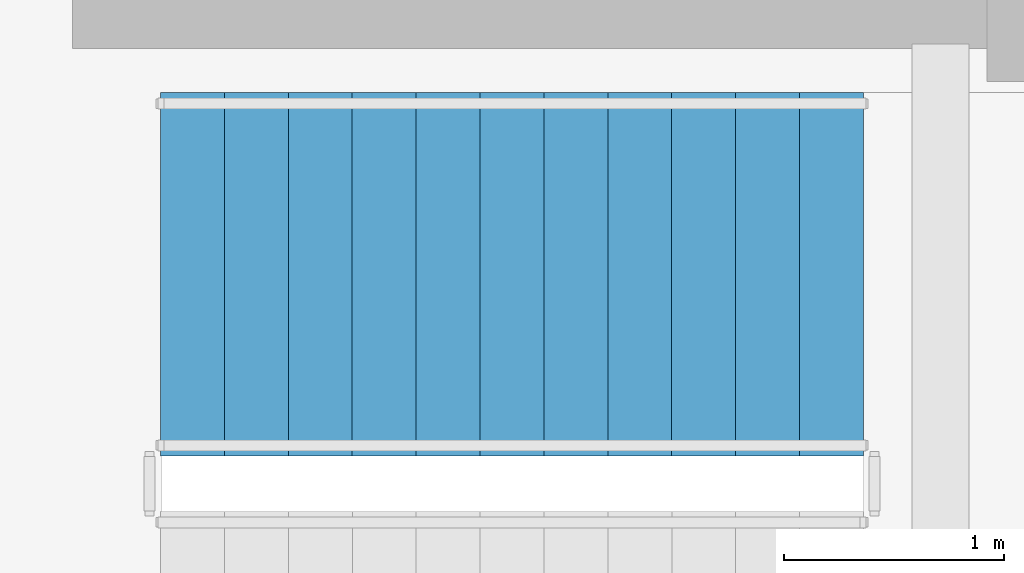
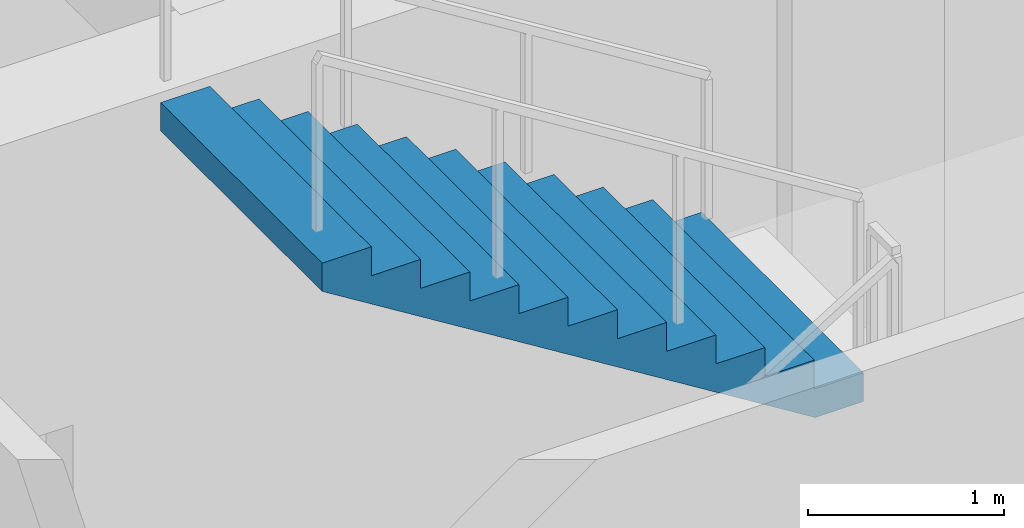
# One storey, part 10 of 13: 1 stair flight, 1 element without a shape of its own.
"""IFC4 building model written with IfcOpenShell, lengths in metres."""

import ifcopenshell
import ifcopenshell.guid

model = None  # the IFC model being written
_history = None  # IfcOwnerHistory: only IFC2X3 demands one
_inside = {}  # id of a spatial element -> (the spatial element, [elements in it])
_under = {}  # id of a project, library or spatial element -> (it, [spatial elements below it])
_declared = {}  # id of a project -> (the project, [libraries it declares])
_typed = {}  # id of a type object -> (the type object, [elements of that type])
_made_of = {}  # id of a material, layer set ... -> (it, [elements and type objects made of it])


def new_model(schema):
    """Start an empty IFC model of exactly this schema.

    Asked for "IFC4X3", IfcOpenShell would pick the latest addendum, in which some entities
    have other attributes; the version numbers below select the first issue.
    IFC2X3 requires an IfcOwnerHistory on every rooted entity: one is made here for all.
    """
    global model, _history
    if schema == "IFC4X3":
        model = ifcopenshell.file(schema_version=(4, 3, 0, 0))
    else:
        model = ifcopenshell.file(schema=schema)
    _inside.clear()
    _under.clear()
    _declared.clear()
    _typed.clear()
    _made_of.clear()
    _history = None
    if model.schema == "IFC2X3":
        org = make("IfcOrganization", Name="unknown")
        user = make(
            "IfcPersonAndOrganization",
            ThePerson=make("IfcPerson", FamilyName="unknown"),
            TheOrganization=org,
        )
        app = make(
            "IfcApplication",
            ApplicationDeveloper=org,
            Version="unknown",
            ApplicationFullName="unknown",
            ApplicationIdentifier="unknown",
        )
        _history = make(
            "IfcOwnerHistory",
            OwningUser=user,
            OwningApplication=app,
            ChangeAction="ADDED",
            CreationDate=0,
        )
    return model


def make(cls, **values):
    """One entity of the class cls with the attributes given. An attribute that is None is left unset."""
    return model.create_entity(
        cls, **{name: value for name, value in values.items() if value is not None}
    )


def rooted(cls, **values):
    """An entity with a GlobalId (a new one), such as an element, a storey or a relation."""
    return make(cls, GlobalId=ifcopenshell.guid.new(), OwnerHistory=_history, **values)


def si_unit(unit_type, name, prefix=None):
    """IfcSIUnit, for example si_unit("LENGTHUNIT", "METRE", prefix="MILLI")."""
    return make("IfcSIUnit", UnitType=unit_type, Prefix=prefix, Name=name)


def derived_unit(unit_type, elements):
    """IfcDerivedUnit: a product of units, each with its exponent."""
    return make(
        "IfcDerivedUnit",
        Elements=[
            make("IfcDerivedUnitElement", Unit=unit, Exponent=power)
            for unit, power in elements
        ],
        UnitType=unit_type,
    )


def assignment(units):
    """IfcUnitAssignment: the units of a project."""
    return None if units is None else make("IfcUnitAssignment", Units=units)


def point(xyz):
    """IfcCartesianPoint."""
    return None if xyz is None else make("IfcCartesianPoint", Coordinates=xyz)


def direction(xyz):
    """IfcDirection."""
    return None if xyz is None else make("IfcDirection", DirectionRatios=xyz)


def frame(location, z_axis=None, x_axis=None):
    """IfcAxis2Placement3D, a coordinate frame: its origin and axes. An axis left out is left unset."""
    return make(
        "IfcAxis2Placement3D",
        Location=point(location),
        Axis=direction(z_axis),
        RefDirection=direction(x_axis),
    )


def origin():
    """The frame at (0, 0, 0) with its axes left unset."""
    return frame((0.0, 0.0, 0.0))


def place(relative_to, where):
    """IfcLocalPlacement: puts the frame where relative to a parent placement (None: the world)."""
    return make(
        "IfcLocalPlacement", PlacementRelTo=relative_to, RelativePlacement=where
    )


def context(
    kind, dimensions, precision=None, world=None, true_north=None, identifier=None
):
    """IfcGeometricRepresentationContext, for example the 3D "Model" context."""
    return make(
        "IfcGeometricRepresentationContext",
        ContextIdentifier=identifier,
        ContextType=kind,
        CoordinateSpaceDimension=dimensions,
        Precision=precision,
        WorldCoordinateSystem=world,
        TrueNorth=true_north,
    )


def subcontext(parent, identifier, kind, view, scale=None):
    """IfcGeometricRepresentationSubContext, for example "Body" below "Model"."""
    return make(
        "IfcGeometricRepresentationSubContext",
        ContextIdentifier=identifier,
        ContextType=kind,
        ParentContext=parent,
        TargetScale=scale,
        TargetView=view,
    )


def project(units=None, contexts=None):
    """IfcProject with its units and contexts."""
    return rooted(
        "IfcProject",
        Name="project",
        RepresentationContexts=contexts,
        UnitsInContext=assignment(units),
    )


def spatial(cls, under=None, at=None, **own):
    """A site, building, storey or space (cls), placed at a placement, below another one or the project."""
    s = rooted(cls, ObjectPlacement=at, **own)
    if under is not None:
        _under.setdefault(under.id(), (under, []))[1].append(s)
    return s


def polyline(points):
    """IfcPolyline through the points."""
    return make("IfcPolyline", Points=[point(p) for p in points])


def outline(outer, holes=None, kind="AREA"):
    """IfcArbitraryClosedProfileDef: a profile drawn as a closed curve; with holes, ...WithVoids."""
    if holes is None:
        return make("IfcArbitraryClosedProfileDef", ProfileType=kind, OuterCurve=outer)
    return make(
        "IfcArbitraryProfileDefWithVoids",
        ProfileType=kind,
        OuterCurve=outer,
        InnerCurves=holes,
    )


def extrude(swept, where, along, depth):
    """IfcExtrudedAreaSolid: the profile swept, set in the frame where, extruded along a direction by depth."""
    return make(
        "IfcExtrudedAreaSolid",
        SweptArea=swept,
        Position=where,
        ExtrudedDirection=direction(along),
        Depth=depth,
    )


def shape(context_of_items, identifier, shape_type, items):
    """IfcShapeRepresentation: the items that make up one representation, for example the "Body"."""
    return make(
        "IfcShapeRepresentation",
        ContextOfItems=context_of_items,
        RepresentationIdentifier=identifier,
        RepresentationType=shape_type,
        Items=items,
    )


def material(Name=None, Category=None):
    """IfcMaterial."""
    return make("IfcMaterial", Name=Name, Category=Category)


def made_of(thing, what):
    """Note that an element or type object is made of a material, layer set ...; save() writes the relation."""
    if what is not None:
        _made_of.setdefault(what.id(), (what, []))[1].append(thing)
    return thing


def type_object(cls, material=None, **own):
    """A type object (cls), such as IfcWallType, which elements share."""
    return made_of(rooted(cls, **own), material)


def element(
    cls,
    number,
    at=None,
    inside=None,
    cuts=None,
    type_object=None,
    material=None,
    context=None,
    identifier="Body",
    shape_type=None,
    held_by="IfcProductDefinitionShape",
    body=None,
    shapes=None,
    **own,
):
    """One element of the class cls, such as IfcWall. Its Tag is "e" and its number.

    at: its placement. inside: the storey or other place that contains it. cuts: it is an
    opening in that element (IfcRelVoidsElement). A single representation is given by context,
    identifier, shape_type and body (its items); several are given by shapes. held_by: the class
    of the entity that holds the representations. save() writes the other relations.
    """
    e = rooted(cls, Tag="e%d" % number, ObjectPlacement=at, **own)
    if body is not None:
        shapes = [shape(context, identifier, shape_type, body)]
    if shapes is not None:
        e.Representation = make(held_by, Representations=shapes)
    if inside is not None:
        _inside.setdefault(inside.id(), (inside, []))[1].append(e)
    if cuts is not None:
        rooted(
            "IfcRelVoidsElement", RelatingBuildingElement=cuts, RelatedOpeningElement=e
        )
    if type_object is not None:
        _typed.setdefault(type_object.id(), (type_object, []))[1].append(e)
    return made_of(e, material)


def aggregate(whole, parts):
    """IfcRelAggregates: a whole, such as a stair, and the parts it consists of."""
    return rooted("IfcRelAggregates", RelatingObject=whole, RelatedObjects=parts)


def save(model, path):
    """Write the relations noted so far, then the file.

    IfcRelAggregates (storeys below a building ...), IfcRelContainedInSpatialStructure (elements
    in a storey), IfcRelDefinesByType, IfcRelAssociatesMaterial and IfcRelDeclares: one each for
    every whole, place, type object, material and project.
    """
    for whole, parts in _under.values():
        aggregate(whole, parts)
    for where, things in _inside.values():
        rooted(
            "IfcRelContainedInSpatialStructure",
            RelatedElements=things,
            RelatingStructure=where,
        )
    for kind, things in _typed.values():
        rooted("IfcRelDefinesByType", RelatedObjects=things, RelatingType=kind)
    for what, things in _made_of.values():
        rooted("IfcRelAssociatesMaterial", RelatedObjects=things, RelatingMaterial=what)
    for by, libraries in _declared.values():
        rooted("IfcRelDeclares", RelatingContext=by, RelatedDefinitions=libraries)
    model.write(path)


model = new_model("IFC4")

# Units and contexts
model_context = context("Model", 3, precision=1e-05, world=origin(), true_north=direction((0.0, 1.0)))
body_context = subcontext(model_context, "Body", "Model", "MODEL_VIEW")
ifc_project = project(units=[si_unit("LENGTHUNIT", "METRE"), si_unit("AREAUNIT", "SQUARE_METRE"), si_unit("VOLUMEUNIT", "CUBIC_METRE"), si_unit("PLANEANGLEUNIT", "RADIAN"), si_unit("MASSUNIT", "GRAM", prefix="KILO"), derived_unit("THERMALTRANSMITTANCEUNIT", [(si_unit("POWERUNIT", "WATT"), 1), (si_unit("LENGTHUNIT", "METRE"), -2), (si_unit("THERMODYNAMICTEMPERATUREUNIT", "KELVIN"), -1)])], contexts=[model_context])

# Site, building, storey
site_placement = place(None, origin())
site = spatial("IfcSite", under=ifc_project, at=site_placement, CompositionType="ELEMENT")
building_placement = place(site_placement, origin())
building = spatial("IfcBuilding", under=site, at=building_placement, Name="Koralith Skygarden Medical Center", CompositionType="ELEMENT")
storey_placement = place(building_placement, frame((0.0, 0.0, 188.4599609375)))
storey = spatial("IfcBuildingStorey", under=building, at=storey_placement, Name="L48", CompositionType="ELEMENT", Elevation=188.4599609375)

# Stair, stair flight
ifc_material = material(Name="Concrete C45/55", Category="concrete")
stair_type = type_object("IfcStairType", Name="Core Exit Dogleg Concrete Stair", PredefinedType="HALF_TURN_STAIR", material=ifc_material)
stair_placement = place(storey_placement, origin())
stair = element("IfcStair", 1, at=stair_placement, inside=storey, type_object=stair_type, Name="L48 Smokeproof Exit Stair ST3", PredefinedType="HALF_TURN_STAIR")
stair_flight_type = type_object("IfcStairFlightType", Name="Core Exit Concrete Stair Flight 1650", PredefinedType="STRAIGHT", material=ifc_material)
stair_flight_placement = place(storey_placement, frame((35.989990234375, 33.175048828125, 2.16015625), z_axis=(0.0, 0.0, 1.0), x_axis=(-1.0, 0.0, 0.0)))
stair_flight = element("IfcStairFlight", 2, at=stair_flight_placement, type_object=stair_flight_type, Name="ST3 flight 2", NumberOfRisers=12, NumberOfTreads=11, PredefinedType="STRAIGHT", RiserHeight=0.18, TreadLength=0.29, context=body_context, shape_type="SweptSolid", body=[
    extrude(outline(polyline([(0.0, 0.0), (0.0, 0.179931640625), (0.2900390625, 0.179931640625), (0.2900390625, 0.360107421875), (0.580078125, 0.360107421875), (0.580078125, 0.5400390625), (0.8701171875, 0.5400390625), (0.8701171875, 0.719970703125), (1.159912109375, 0.719970703125), (1.159912109375, 0.89990234375), (1.449951171875, 0.89990234375), (1.449951171875, 1.080078125), (1.739990234375, 1.080078125), (1.739990234375, 1.260009765625), (2.030029296875, 1.260009765625), (2.030029296875, 1.43994140625), (2.320068359375, 1.43994140625), (2.320068359375, 1.6201171875), (2.610107421875, 1.6201171875), (2.610107421875, 1.800048828125), (2.89990234375, 1.800048828125), (2.89990234375, 1.97998046875), (3.18994140625, 1.97998046875), (3.18994140625, 2.159912109375), (3.18994140625, 1.803466796875), (0.2841796875, 0.0), (0.0, 0.0)])), frame((0.0, 0.824951171875, 0.0), z_axis=(0.0, -1.0, 0.0), x_axis=(1.0, 0.0, 0.0)), (0.0, 0.0, 1.0), 1.64990234375),
])
aggregate(stair, [stair_flight])

save(model, "model.ifc")
